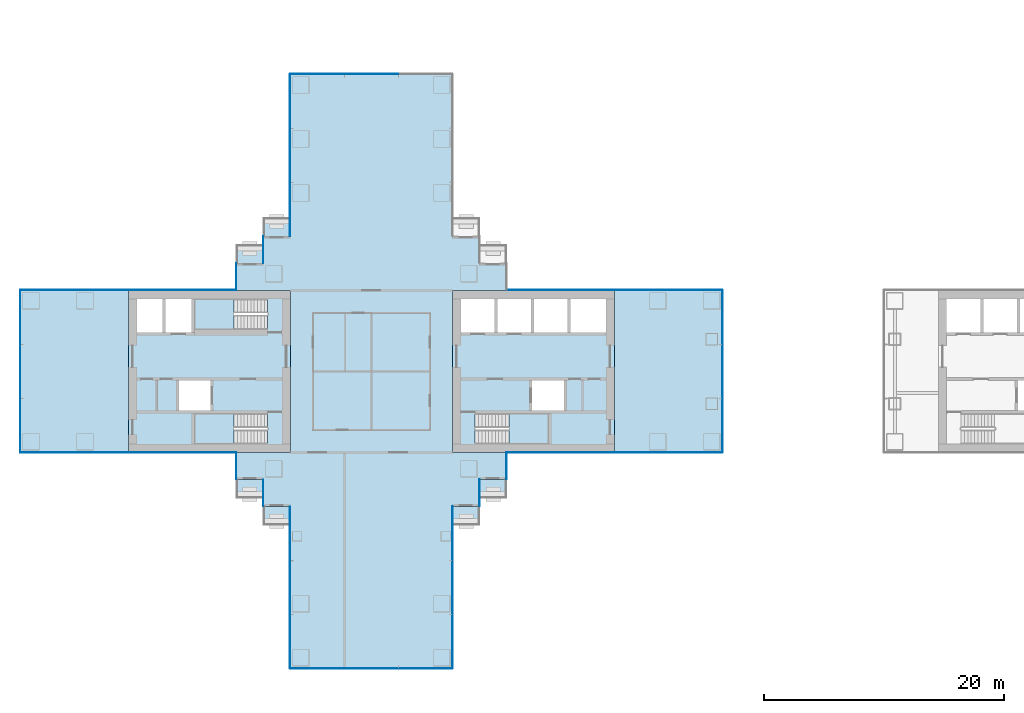
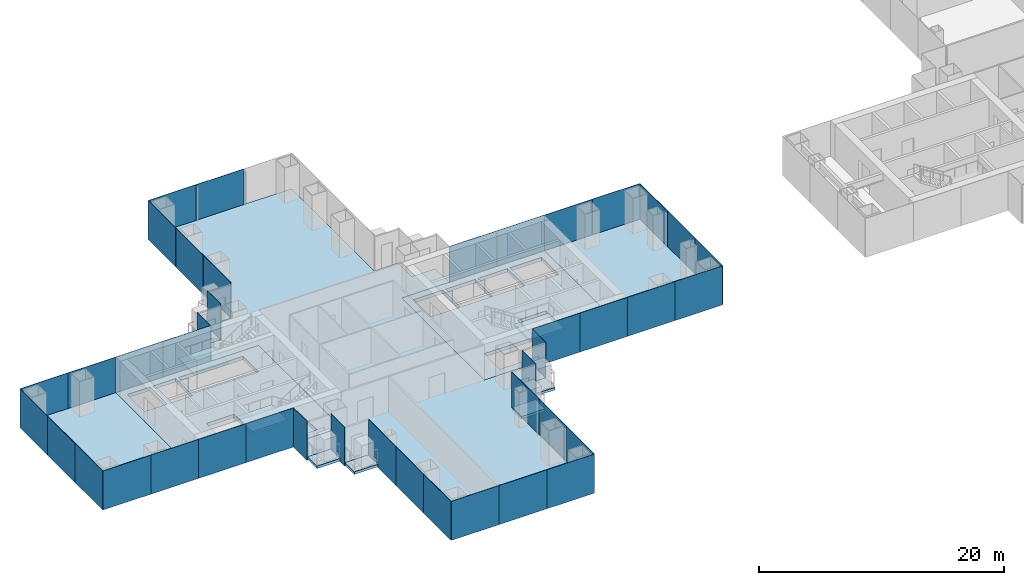
# One storey, part 11 of 21: 42 plates, 14 slabs, 21 elements without a shape of their own.
"""IFC4 building model written with IfcOpenShell, lengths in metres."""

from ifc_helpers import new_model, si_unit, direction, frame, origin, origin_2d, place, context, subcontext, project, spatial, polyline, rectangle, outline, extrude, material, layer, layer_set, type_object, element, aggregate, save


model = new_model("IFC4")

# Units and contexts
model_context = context("Model", 3, precision=1e-05, world=origin(), true_north=direction((0.0, 1.0)))
body_context = subcontext(model_context, "Body", "Model", "MODEL_VIEW")
ifc_project = project(units=[si_unit("LENGTHUNIT", "METRE"), si_unit("AREAUNIT", "SQUARE_METRE"), si_unit("VOLUMEUNIT", "CUBIC_METRE"), si_unit("PLANEANGLEUNIT", "RADIAN"), si_unit("MASSUNIT", "GRAM", prefix="KILO")], contexts=[model_context])

# Site, building, storey
site_placement = place(None, origin())
site = spatial("IfcSite", under=ifc_project, at=site_placement, CompositionType="ELEMENT")
building_placement = place(site_placement, origin())
building = spatial("IfcBuilding", under=site, at=building_placement, Name="Shamsa Quay Exchange Towers", CompositionType="ELEMENT")
storey_placement = place(building_placement, frame((0.0, 0.0, 61.5)))
storey = spatial("IfcBuildingStorey", under=building, at=storey_placement, Name="L13", CompositionType="ELEMENT", Elevation=61.5)

# Slabs
ifc_material_1 = material(Name="Precast concrete C40/50", Category="concrete")
ifc_layer_1 = layer(ifc_material_1, 0.25)
ifc_layer_set_1 = layer_set([ifc_layer_1], Name="BALCONY SLAB 250")
slab_type_1 = type_object("IfcSlabType", Name="BALCONY SLAB 250", PredefinedType="FLOOR", material=ifc_layer_set_1)
slab_1_placement = place(storey_placement, frame((0.0, 0.0, -0.25)))
element("IfcSlab", 1, at=slab_1_placement, inside=storey, type_object=slab_type_1, Name="Balcony T1-PKES L13", PredefinedType="FLOOR", context=body_context, shape_type="SweptSolid", body=[
    extrude(outline(polyline([(-24.7119140625, -9.0), (-22.5, -9.0), (-22.5, -10.550048828125), (-24.7119140625, -10.550048828125), (-24.7119140625, -9.0)])), origin(), (0.0, 0.0, 1.0), 0.25),
])
slab_2_placement = place(storey_placement, frame((0.0, 0.0, -0.25)))
element("IfcSlab", 2, at=slab_2_placement, inside=storey, type_object=slab_type_1, Name="Balcony T1-PKES L13", PredefinedType="FLOOR", context=body_context, shape_type="SweptSolid", body=[
    extrude(outline(polyline([(-26.9619140625, -11.25), (-24.75, -11.25), (-24.75, -12.800048828125), (-26.9619140625, -12.800048828125), (-26.9619140625, -11.25)])), origin(), (0.0, 0.0, 1.0), 0.25),
])
slab_3_placement = place(storey_placement, frame((0.0, 0.0, -0.25)))
element("IfcSlab", 3, at=slab_3_placement, inside=storey, type_object=slab_type_1, Name="Balcony T1-PKWN L13", PredefinedType="FLOOR", context=body_context, shape_type="SweptSolid", body=[
    extrude(outline(polyline([(-40.5380859375, 11.25), (-42.75, 11.25), (-42.75, 12.800048828125), (-40.5380859375, 12.800048828125), (-40.5380859375, 11.25)])), origin(), (0.0, 0.0, 1.0), 0.25),
])
slab_4_placement = place(storey_placement, frame((0.0, 0.0, -0.25)))
element("IfcSlab", 4, at=slab_4_placement, inside=storey, type_object=slab_type_1, Name="Balcony T1-PKWN L13", PredefinedType="FLOOR", context=body_context, shape_type="SweptSolid", body=[
    extrude(outline(polyline([(-42.7880859375, 9.0), (-45.0, 9.0), (-45.0, 10.550048828125), (-42.7880859375, 10.550048828125), (-42.7880859375, 9.0)])), origin(), (0.0, 0.0, 1.0), 0.25),
])
slab_5_placement = place(storey_placement, frame((0.0, 0.0, -0.25)))
element("IfcSlab", 5, at=slab_5_placement, inside=storey, type_object=slab_type_1, Name="Balcony T1-PKWS L13", PredefinedType="FLOOR", context=body_context, shape_type="SweptSolid", body=[
    extrude(outline(polyline([(-45.0, -9.0), (-42.7880859375, -9.0), (-42.7880859375, -10.550048828125), (-45.0, -10.550048828125), (-45.0, -9.0)])), origin(), (0.0, 0.0, 1.0), 0.25),
])
slab_6_placement = place(storey_placement, frame((0.0, 0.0, -0.25)))
element("IfcSlab", 6, at=slab_6_placement, inside=storey, type_object=slab_type_1, Name="Balcony T1-PKWS L13", PredefinedType="FLOOR", context=body_context, shape_type="SweptSolid", body=[
    extrude(outline(polyline([(-42.75, -11.25), (-40.5380859375, -11.25), (-40.5380859375, -12.800048828125), (-42.75, -12.800048828125), (-42.75, -11.25)])), origin(), (0.0, 0.0, 1.0), 0.25),
])
ifc_material_2 = material(Name="Concrete C50/60", Category="concrete")
ifc_layer_2 = layer(ifc_material_2, 0.35009765625)
ifc_layer_set_2 = layer_set([ifc_layer_2], Name="CORE FLOOR 350 C50/60")
slab_type_2 = type_object("IfcSlabType", Name="CORE FLOOR 350 C50/60", PredefinedType="FLOOR", material=ifc_layer_set_2)
slab_7_placement = place(storey_placement, frame((0.0, 0.0, -0.35009765625)))
element("IfcSlab", 7, at=slab_7_placement, inside=storey, type_object=slab_type_2, Name="Core floor T1A", PredefinedType="FLOOR", context=body_context, shape_type="SweptSolid", body=[
    extrude(outline(polyline([(-27.0, -6.75), (-13.5, -6.75), (-13.5, 6.75), (-27.0, 6.75), (-27.0, -6.75)]), holes=[polyline([(-25.099365234375, -6.050048828125), (-25.099365234375, -3.5), (-19.0, -3.5), (-19.0, -6.050048828125), (-25.099365234375, -6.050048828125)]), polyline([(-26.300048828125, 3.25), (-26.300048828125, 6.050048828125), (-23.5, 6.050048828125), (-23.5, 3.25), (-26.300048828125, 3.25)]), polyline([(-23.25, 3.25), (-23.25, 6.050048828125), (-20.449951171875, 6.050048828125), (-20.449951171875, 3.25), (-23.25, 3.25)]), polyline([(-20.199951171875, 3.25), (-20.199951171875, 6.050048828125), (-17.39990234375, 6.050048828125), (-17.39990234375, 3.25), (-20.199951171875, 3.25)]), polyline([(-17.14990234375, 3.25), (-17.14990234375, 6.050048828125), (-14.199951171875, 6.050048828125), (-14.199951171875, 3.25), (-17.14990234375, 3.25)]), polyline([(-20.35009765625, -3.25), (-20.35009765625, -0.75), (-17.699951171875, -0.75), (-17.699951171875, -3.25), (-20.35009765625, -3.25)])]), origin(), (0.0, 0.0, 1.0), 0.35009765625),
])
slab_8_placement = place(storey_placement, frame((0.0, 0.0, -0.35009765625)))
element("IfcSlab", 8, at=slab_8_placement, inside=storey, type_object=slab_type_2, Name="Core floor T1B", PredefinedType="FLOOR", context=body_context, shape_type="SweptSolid", body=[
    extrude(outline(polyline([(-40.5, -6.75), (-40.5, 6.75), (-54.0, 6.75), (-54.0, -6.75), (-40.5, -6.75)]), holes=[polyline([(-42.400634765625, -3.5), (-42.400634765625, -6.050048828125), (-48.5, -6.050048828125), (-48.5, -3.5), (-42.400634765625, -3.5)]), polyline([(-42.400634765625, 6.050048828125), (-42.400634765625, 3.5), (-48.5, 3.5), (-48.5, 6.050048828125), (-42.400634765625, 6.050048828125)]), polyline([(-48.75, 3.25), (-50.89990234375, 3.25), (-50.89990234375, 6.050048828125), (-48.75, 6.050048828125), (-48.75, 3.25)]), polyline([(-51.14990234375, 3.25), (-53.300048828125, 3.25), (-53.300048828125, 6.050048828125), (-51.14990234375, 6.050048828125), (-51.14990234375, 3.25)]), polyline([(-47.14990234375, -3.25), (-49.800048828125, -3.25), (-49.800048828125, -0.75), (-47.14990234375, -0.75), (-47.14990234375, -3.25)])]), origin(), (0.0, 0.0, 1.0), 0.35009765625),
])

# Stair, slab
ifc_material_3 = material(Name="Concrete C40/50", Category="concrete")
stair_type = type_object("IfcStairType", Name="EXIT STAIR 22 RISERS 177 MM", PredefinedType="HALF_TURN_STAIR", material=ifc_material_3)
stair_1_placement = place(storey_placement, origin())
stair_1 = element("IfcStair", 9, at=stair_1_placement, inside=storey, type_object=stair_type, Name="L13 Exit stair ST1", PredefinedType="HALF_TURN_STAIR")
ifc_layer_3 = layer(ifc_material_3, 0.199951171875)
ifc_layer_set_3 = layer_set([ifc_layer_3], Name="CORE STAIR LANDING")
slab_type_3 = type_object("IfcSlabType", Name="CORE STAIR LANDING", PredefinedType="LANDING", material=ifc_layer_set_3)
slab_9_placement = place(storey_placement, frame((0.0, 0.0, 1.75)))
slab_9 = element("IfcSlab", 10, at=slab_9_placement, type_object=slab_type_3, Name="ST1 landing 1", PredefinedType="LANDING", context=body_context, shape_type="SweptSolid", body=[
    extrude(outline(polyline([(-22.300048828125, -6.050048828125), (-19.0, -6.050048828125), (-19.0, -3.5), (-22.300048828125, -3.5), (-22.300048828125, -6.050048828125)])), origin(), (0.0, 0.0, 1.0), 0.199951171875),
])
aggregate(stair_1, [slab_9])

stair_2_placement = place(storey_placement, origin())
stair_2 = element("IfcStair", 11, at=stair_2_placement, inside=storey, type_object=stair_type, Name="L13 Exit stair ST2", PredefinedType="HALF_TURN_STAIR")
slab_10_placement = place(storey_placement, frame((0.0, 0.0, 1.75)))
slab_10 = element("IfcSlab", 12, at=slab_10_placement, type_object=slab_type_3, Name="ST2 landing 1", PredefinedType="LANDING", context=body_context, shape_type="SweptSolid", body=[
    extrude(outline(polyline([(-45.199951171875, -3.5), (-48.5, -3.5), (-48.5, -6.050048828125), (-45.199951171875, -6.050048828125), (-45.199951171875, -3.5)])), origin(), (0.0, 0.0, 1.0), 0.199951171875),
])
aggregate(stair_2, [slab_10])

stair_3_placement = place(storey_placement, origin())
stair_3 = element("IfcStair", 13, at=stair_3_placement, inside=storey, type_object=stair_type, Name="L13 Exit stair ST3", PredefinedType="HALF_TURN_STAIR")
slab_11_placement = place(storey_placement, frame((0.0, 0.0, 1.75)))
slab_11 = element("IfcSlab", 14, at=slab_11_placement, type_object=slab_type_3, Name="ST3 landing 1", PredefinedType="LANDING", context=body_context, shape_type="SweptSolid", body=[
    extrude(outline(polyline([(-45.199951171875, 6.050048828125), (-48.5, 6.050048828125), (-48.5, 3.5), (-45.199951171875, 3.5), (-45.199951171875, 6.050048828125)])), origin(), (0.0, 0.0, 1.0), 0.199951171875),
])
aggregate(stair_3, [slab_11])

# Curtain wall, plates
ifc_material_4 = material(Name="Aluminium EN AW-6063 T6, black anodised", Category="aluminium")
ifc_layer_4 = layer(ifc_material_4, 0.280029296875)
ifc_layer_set_4 = layer_set([ifc_layer_4], Name="CW-1 UNITISED VISION GLASS")
curtain_wall_type_1 = type_object("IfcCurtainWallType", Name="CW-1 UNITISED VISION GLASS", PredefinedType="NOTDEFINED", material=ifc_layer_set_4)
curtain_wall_1_placement = place(storey_placement, origin())
curtain_wall_1 = element("IfcCurtainWall", 15, at=curtain_wall_1_placement, inside=storey, type_object=curtain_wall_type_1, Name="CW1 T1-FLK-V-W L13", PredefinedType="NOTDEFINED")
ifc_material_5 = material(Name="Glass, laminated, dark tinted", Category="glass")
ifc_layer_5 = layer(ifc_material_5, 0.0400390625)
ifc_layer_set_5 = layer_set([ifc_layer_5], Name="CW-1 VISION GLASS 40")
plate_type_1 = type_object("IfcPlateType", Name="CW-1 VISION GLASS 40", PredefinedType="CURTAIN_PANEL", material=ifc_layer_set_5)
plate_1_placement = place(storey_placement, frame((-40.52001953125, -13.529052734375, -0.349853515625), z_axis=(0.0, 0.0, 1.0), x_axis=(0.0, -1.0, 0.0)))
plate_1 = element("IfcPlate", 16, at=plate_1_placement, type_object=plate_type_1, Name="CW1 glass panel", PredefinedType="CURTAIN_PANEL", context=body_context, shape_type="SweptSolid", body=[
    extrude(rectangle(XDim=4.482421875, YDim=0.0400390625, at=origin_2d()), origin(), (0.0, 0.0, 1.0), 3.89990234375),
])
plate_2_placement = place(storey_placement, frame((-40.52001953125, -18.01904296875, -0.349853515625), z_axis=(0.0, 0.0, 1.0), x_axis=(0.0, -1.0, 0.0)))
plate_2 = element("IfcPlate", 17, at=plate_2_placement, type_object=plate_type_1, Name="CW1 glass panel", PredefinedType="CURTAIN_PANEL", context=body_context, shape_type="SweptSolid", body=[
    extrude(rectangle(XDim=4.477294921875, YDim=0.0400390625, at=origin_2d()), origin(), (0.0, 0.0, 1.0), 3.89990234375),
])
plate_3_placement = place(storey_placement, frame((-40.52001953125, -22.5087890625, -0.349853515625), z_axis=(0.0, 0.0, 1.0), x_axis=(0.0, -1.0, 0.0)))
plate_3 = element("IfcPlate", 18, at=plate_3_placement, type_object=plate_type_1, Name="CW1 glass panel", PredefinedType="CURTAIN_PANEL", context=body_context, shape_type="SweptSolid", body=[
    extrude(rectangle(XDim=4.482421875, YDim=0.0400390625, at=origin_2d()), origin(), (0.0, 0.0, 1.0), 3.89990234375),
])
aggregate(curtain_wall_1, [plate_1, plate_2, plate_3])

curtain_wall_2_placement = place(storey_placement, origin())
curtain_wall_2 = element("IfcCurtainWall", 19, at=curtain_wall_2_placement, inside=storey, type_object=curtain_wall_type_1, Name="CW1 T1-END-V- L13", PredefinedType="NOTDEFINED")
plate_4_placement = place(storey_placement, frame((-38.25244140625, -24.77001953125, -0.349853515625)))
plate_4 = element("IfcPlate", 20, at=plate_4_placement, type_object=plate_type_1, Name="CW1 glass panel", PredefinedType="CURTAIN_PANEL", context=body_context, shape_type="SweptSolid", body=[
    extrude(rectangle(XDim=4.4951171875, YDim=0.0400390625, at=origin_2d()), origin(), (0.0, 0.0, 1.0), 3.89990234375),
])
plate_5_placement = place(storey_placement, frame((-33.75, -24.77001953125, -0.349853515625)))
plate_5 = element("IfcPlate", 21, at=plate_5_placement, type_object=plate_type_1, Name="CW1 glass panel", PredefinedType="CURTAIN_PANEL", context=body_context, shape_type="SweptSolid", body=[
    extrude(rectangle(XDim=4.489990234375, YDim=0.0400390625, at=origin_2d()), origin(), (0.0, 0.0, 1.0), 3.89990234375),
])
plate_6_placement = place(storey_placement, frame((-29.24755859375, -24.77001953125, -0.349853515625)))
plate_6 = element("IfcPlate", 22, at=plate_6_placement, type_object=plate_type_1, Name="CW1 glass panel", PredefinedType="CURTAIN_PANEL", context=body_context, shape_type="SweptSolid", body=[
    extrude(rectangle(XDim=4.4951171875, YDim=0.0400390625, at=origin_2d()), origin(), (0.0, 0.0, 1.0), 3.89990234375),
])
aggregate(curtain_wall_2, [plate_4, plate_5, plate_6])

curtain_wall_3_placement = place(storey_placement, origin())
curtain_wall_3 = element("IfcCurtainWall", 23, at=curtain_wall_3_placement, inside=storey, type_object=curtain_wall_type_1, Name="CW1 T1-FLK-V-E L13", PredefinedType="NOTDEFINED")
plate_7_placement = place(storey_placement, frame((-26.97998046875, -22.50244140625, -0.349853515625), z_axis=(0.0, 0.0, 1.0), x_axis=(0.0, 1.0, 0.0)))
plate_7 = element("IfcPlate", 24, at=plate_7_placement, type_object=plate_type_1, Name="CW1 glass panel", PredefinedType="CURTAIN_PANEL", context=body_context, shape_type="SweptSolid", body=[
    extrude(rectangle(XDim=4.4951171875, YDim=0.0400390625, at=origin_2d()), origin(), (0.0, 0.0, 1.0), 3.89990234375),
])
plate_8_placement = place(storey_placement, frame((-26.97998046875, -18.0, -0.349853515625), z_axis=(0.0, 0.0, 1.0), x_axis=(0.0, 1.0, 0.0)))
plate_8 = element("IfcPlate", 25, at=plate_8_placement, type_object=plate_type_1, Name="CW1 glass panel", PredefinedType="CURTAIN_PANEL", context=body_context, shape_type="SweptSolid", body=[
    extrude(rectangle(XDim=4.489990234375, YDim=0.0400390625, at=origin_2d()), origin(), (0.0, 0.0, 1.0), 3.89990234375),
])
plate_9_placement = place(storey_placement, frame((-26.97998046875, -13.49755859375, -0.349853515625), z_axis=(0.0, 0.0, 1.0), x_axis=(0.0, 1.0, 0.0)))
plate_9 = element("IfcPlate", 26, at=plate_9_placement, type_object=plate_type_1, Name="CW1 glass panel", PredefinedType="CURTAIN_PANEL", context=body_context, shape_type="SweptSolid", body=[
    extrude(rectangle(XDim=4.4951171875, YDim=0.0400390625, at=origin_2d()), origin(), (0.0, 0.0, 1.0), 3.89990234375),
])
aggregate(curtain_wall_3, [plate_7, plate_8, plate_9])

curtain_wall_4_placement = place(storey_placement, origin())
curtain_wall_4 = element("IfcCurtainWall", 27, at=curtain_wall_4_placement, inside=storey, type_object=curtain_wall_type_1, Name="CW1 T1-FLK-U+S L13", PredefinedType="NOTDEFINED")
plate_10_placement = place(storey_placement, frame((-11.25244140625, -6.77001953125, -0.349853515625)))
plate_10 = element("IfcPlate", 28, at=plate_10_placement, type_object=plate_type_1, Name="CW1 glass panel", PredefinedType="CURTAIN_PANEL", context=body_context, shape_type="SweptSolid", body=[
    extrude(rectangle(XDim=4.4951171875, YDim=0.0400390625, at=origin_2d()), origin(), (0.0, 0.0, 1.0), 3.89990234375),
])
plate_11_placement = place(storey_placement, frame((-6.74755859375, -6.77001953125, -0.349853515625)))
plate_11 = element("IfcPlate", 29, at=plate_11_placement, type_object=plate_type_1, Name="CW1 glass panel", PredefinedType="CURTAIN_PANEL", context=body_context, shape_type="SweptSolid", body=[
    extrude(rectangle(XDim=4.4951171875, YDim=0.0400390625, at=origin_2d()), origin(), (0.0, 0.0, 1.0), 3.89990234375),
])
aggregate(curtain_wall_4, [plate_10, plate_11])

curtain_wall_5_placement = place(storey_placement, origin())
curtain_wall_5 = element("IfcCurtainWall", 30, at=curtain_wall_5_placement, inside=storey, type_object=curtain_wall_type_1, Name="CW1 T1-END-U+ L13", PredefinedType="NOTDEFINED")
plate_12_placement = place(storey_placement, frame((-4.47998046875, -4.50244140625, -0.349853515625), z_axis=(0.0, 0.0, 1.0), x_axis=(0.0, 1.0, 0.0)))
plate_12 = element("IfcPlate", 31, at=plate_12_placement, type_object=plate_type_1, Name="CW1 glass panel", PredefinedType="CURTAIN_PANEL", context=body_context, shape_type="SweptSolid", body=[
    extrude(rectangle(XDim=4.4951171875, YDim=0.0400390625, at=origin_2d()), origin(), (0.0, 0.0, 1.0), 3.89990234375),
])
plate_13_placement = place(storey_placement, frame((-4.47998046875, 0.0, -0.349853515625), z_axis=(0.0, 0.0, 1.0), x_axis=(0.0, 1.0, 0.0)))
plate_13 = element("IfcPlate", 32, at=plate_13_placement, type_object=plate_type_1, Name="CW1 glass panel", PredefinedType="CURTAIN_PANEL", context=body_context, shape_type="SweptSolid", body=[
    extrude(rectangle(XDim=4.489990234375, YDim=0.0400390625, at=origin_2d()), origin(), (0.0, 0.0, 1.0), 3.89990234375),
])
plate_14_placement = place(storey_placement, frame((-4.47998046875, 4.50244140625, -0.349853515625), z_axis=(0.0, 0.0, 1.0), x_axis=(0.0, 1.0, 0.0)))
plate_14 = element("IfcPlate", 33, at=plate_14_placement, type_object=plate_type_1, Name="CW1 glass panel", PredefinedType="CURTAIN_PANEL", context=body_context, shape_type="SweptSolid", body=[
    extrude(rectangle(XDim=4.4951171875, YDim=0.0400390625, at=origin_2d()), origin(), (0.0, 0.0, 1.0), 3.89990234375),
])
aggregate(curtain_wall_5, [plate_12, plate_13, plate_14])

curtain_wall_6_placement = place(storey_placement, origin())
curtain_wall_6 = element("IfcCurtainWall", 34, at=curtain_wall_6_placement, inside=storey, type_object=curtain_wall_type_1, Name="CW1 T1-FLK-U+N L13", PredefinedType="NOTDEFINED")
plate_15_placement = place(storey_placement, frame((-6.74755859375, 6.77001953125, -0.349853515625), z_axis=(0.0, 0.0, 1.0), x_axis=(-1.0, 0.0, 0.0)))
plate_15 = element("IfcPlate", 35, at=plate_15_placement, type_object=plate_type_1, Name="CW1 glass panel", PredefinedType="CURTAIN_PANEL", context=body_context, shape_type="SweptSolid", body=[
    extrude(rectangle(XDim=4.4951171875, YDim=0.0400390625, at=origin_2d()), origin(), (0.0, 0.0, 1.0), 3.89990234375),
])
plate_16_placement = place(storey_placement, frame((-11.25244140625, 6.77001953125, -0.349853515625), z_axis=(0.0, 0.0, 1.0), x_axis=(-1.0, 0.0, 0.0)))
plate_16 = element("IfcPlate", 36, at=plate_16_placement, type_object=plate_type_1, Name="CW1 glass panel", PredefinedType="CURTAIN_PANEL", context=body_context, shape_type="SweptSolid", body=[
    extrude(rectangle(XDim=4.4951171875, YDim=0.0400390625, at=origin_2d()), origin(), (0.0, 0.0, 1.0), 3.89990234375),
])
aggregate(curtain_wall_6, [plate_15, plate_16])

curtain_wall_7_placement = place(storey_placement, origin())
curtain_wall_7 = element("IfcCurtainWall", 37, at=curtain_wall_7_placement, inside=storey, type_object=curtain_wall_type_1, Name="CW1 T1-END-V+ L13", PredefinedType="NOTDEFINED")
plate_17_placement = place(storey_placement, frame((-33.75, 24.77001953125, -0.349853515625), z_axis=(0.0, 0.0, 1.0), x_axis=(-1.0, 0.0, 0.0)))
plate_17 = element("IfcPlate", 38, at=plate_17_placement, type_object=plate_type_1, Name="CW1 glass panel", PredefinedType="CURTAIN_PANEL", context=body_context, shape_type="SweptSolid", body=[
    extrude(rectangle(XDim=4.489990234375, YDim=0.0400390625, at=origin_2d()), origin(), (0.0, 0.0, 1.0), 3.89990234375),
])
plate_18_placement = place(storey_placement, frame((-38.25244140625, 24.77001953125, -0.349853515625), z_axis=(0.0, 0.0, 1.0), x_axis=(-1.0, 0.0, 0.0)))
plate_18 = element("IfcPlate", 39, at=plate_18_placement, type_object=plate_type_1, Name="CW1 glass panel", PredefinedType="CURTAIN_PANEL", context=body_context, shape_type="SweptSolid", body=[
    extrude(rectangle(XDim=4.4951171875, YDim=0.0400390625, at=origin_2d()), origin(), (0.0, 0.0, 1.0), 3.89990234375),
])
aggregate(curtain_wall_7, [plate_17, plate_18])

curtain_wall_8_placement = place(storey_placement, origin())
curtain_wall_8 = element("IfcCurtainWall", 40, at=curtain_wall_8_placement, inside=storey, type_object=curtain_wall_type_1, Name="CW1 T1-FLK-V+W L13", PredefinedType="NOTDEFINED")
plate_19_placement = place(storey_placement, frame((-40.52001953125, 22.50244140625, -0.349853515625), z_axis=(0.0, 0.0, 1.0), x_axis=(0.0, -1.0, 0.0)))
plate_19 = element("IfcPlate", 41, at=plate_19_placement, type_object=plate_type_1, Name="CW1 glass panel", PredefinedType="CURTAIN_PANEL", context=body_context, shape_type="SweptSolid", body=[
    extrude(rectangle(XDim=4.4951171875, YDim=0.0400390625, at=origin_2d()), origin(), (0.0, 0.0, 1.0), 3.89990234375),
])
plate_20_placement = place(storey_placement, frame((-40.52001953125, 18.0, -0.349853515625), z_axis=(0.0, 0.0, 1.0), x_axis=(0.0, -1.0, 0.0)))
plate_20 = element("IfcPlate", 42, at=plate_20_placement, type_object=plate_type_1, Name="CW1 glass panel", PredefinedType="CURTAIN_PANEL", context=body_context, shape_type="SweptSolid", body=[
    extrude(rectangle(XDim=4.489990234375, YDim=0.0400390625, at=origin_2d()), origin(), (0.0, 0.0, 1.0), 3.89990234375),
])
plate_21_placement = place(storey_placement, frame((-40.52001953125, 13.49755859375, -0.349853515625), z_axis=(0.0, 0.0, 1.0), x_axis=(0.0, -1.0, 0.0)))
plate_21 = element("IfcPlate", 43, at=plate_21_placement, type_object=plate_type_1, Name="CW1 glass panel", PredefinedType="CURTAIN_PANEL", context=body_context, shape_type="SweptSolid", body=[
    extrude(rectangle(XDim=4.4951171875, YDim=0.0400390625, at=origin_2d()), origin(), (0.0, 0.0, 1.0), 3.89990234375),
])
aggregate(curtain_wall_8, [plate_19, plate_20, plate_21])

curtain_wall_9_placement = place(storey_placement, origin())
curtain_wall_9 = element("IfcCurtainWall", 44, at=curtain_wall_9_placement, inside=storey, type_object=curtain_wall_type_1, Name="CW1 T1-FLK-U-N L13", PredefinedType="NOTDEFINED")
plate_22_placement = place(storey_placement, frame((-56.24755859375, 6.77001953125, -0.349853515625), z_axis=(0.0, 0.0, 1.0), x_axis=(-1.0, 0.0, 0.0)))
plate_22 = element("IfcPlate", 45, at=plate_22_placement, type_object=plate_type_1, Name="CW1 glass panel", PredefinedType="CURTAIN_PANEL", context=body_context, shape_type="SweptSolid", body=[
    extrude(rectangle(XDim=4.4951171875, YDim=0.0400390625, at=origin_2d()), origin(), (0.0, 0.0, 1.0), 3.89990234375),
])
plate_23_placement = place(storey_placement, frame((-60.75244140625, 6.77001953125, -0.349853515625), z_axis=(0.0, 0.0, 1.0), x_axis=(-1.0, 0.0, 0.0)))
plate_23 = element("IfcPlate", 46, at=plate_23_placement, type_object=plate_type_1, Name="CW1 glass panel", PredefinedType="CURTAIN_PANEL", context=body_context, shape_type="SweptSolid", body=[
    extrude(rectangle(XDim=4.4951171875, YDim=0.0400390625, at=origin_2d()), origin(), (0.0, 0.0, 1.0), 3.89990234375),
])
aggregate(curtain_wall_9, [plate_22, plate_23])

curtain_wall_10_placement = place(storey_placement, origin())
curtain_wall_10 = element("IfcCurtainWall", 47, at=curtain_wall_10_placement, inside=storey, type_object=curtain_wall_type_1, Name="CW1 T1-END-U- L13", PredefinedType="NOTDEFINED")
plate_24_placement = place(storey_placement, frame((-63.02001953125, 4.50244140625, -0.349853515625), z_axis=(0.0, 0.0, 1.0), x_axis=(0.0, -1.0, 0.0)))
plate_24 = element("IfcPlate", 48, at=plate_24_placement, type_object=plate_type_1, Name="CW1 glass panel", PredefinedType="CURTAIN_PANEL", context=body_context, shape_type="SweptSolid", body=[
    extrude(rectangle(XDim=4.4951171875, YDim=0.0400390625, at=origin_2d()), origin(), (0.0, 0.0, 1.0), 3.89990234375),
])
plate_25_placement = place(storey_placement, frame((-63.02001953125, 0.0, -0.349853515625), z_axis=(0.0, 0.0, 1.0), x_axis=(0.0, -1.0, 0.0)))
plate_25 = element("IfcPlate", 49, at=plate_25_placement, type_object=plate_type_1, Name="CW1 glass panel", PredefinedType="CURTAIN_PANEL", context=body_context, shape_type="SweptSolid", body=[
    extrude(rectangle(XDim=4.489990234375, YDim=0.0400390625, at=origin_2d()), origin(), (0.0, 0.0, 1.0), 3.89990234375),
])
plate_26_placement = place(storey_placement, frame((-63.02001953125, -4.50244140625, -0.349853515625), z_axis=(0.0, 0.0, 1.0), x_axis=(0.0, -1.0, 0.0)))
plate_26 = element("IfcPlate", 50, at=plate_26_placement, type_object=plate_type_1, Name="CW1 glass panel", PredefinedType="CURTAIN_PANEL", context=body_context, shape_type="SweptSolid", body=[
    extrude(rectangle(XDim=4.4951171875, YDim=0.0400390625, at=origin_2d()), origin(), (0.0, 0.0, 1.0), 3.89990234375),
])
aggregate(curtain_wall_10, [plate_24, plate_25, plate_26])

curtain_wall_11_placement = place(storey_placement, origin())
curtain_wall_11 = element("IfcCurtainWall", 51, at=curtain_wall_11_placement, inside=storey, type_object=curtain_wall_type_1, Name="CW1 T1-FLK-U-S L13", PredefinedType="NOTDEFINED")
plate_27_placement = place(storey_placement, frame((-60.75244140625, -6.77001953125, -0.349853515625)))
plate_27 = element("IfcPlate", 52, at=plate_27_placement, type_object=plate_type_1, Name="CW1 glass panel", PredefinedType="CURTAIN_PANEL", context=body_context, shape_type="SweptSolid", body=[
    extrude(rectangle(XDim=4.4951171875, YDim=0.0400390625, at=origin_2d()), origin(), (0.0, 0.0, 1.0), 3.89990234375),
])
plate_28_placement = place(storey_placement, frame((-56.24755859375, -6.77001953125, -0.349853515625)))
plate_28 = element("IfcPlate", 53, at=plate_28_placement, type_object=plate_type_1, Name="CW1 glass panel", PredefinedType="CURTAIN_PANEL", context=body_context, shape_type="SweptSolid", body=[
    extrude(rectangle(XDim=4.4951171875, YDim=0.0400390625, at=origin_2d()), origin(), (0.0, 0.0, 1.0), 3.89990234375),
])
aggregate(curtain_wall_11, [plate_27, plate_28])

ifc_layer_6 = layer(ifc_material_4, 0.303955078125)
ifc_layer_set_6 = layer_set([ifc_layer_6], Name="CW-2 UNITISED OPAQUE SPANDREL GLASS")
curtain_wall_type_2 = type_object("IfcCurtainWallType", Name="CW-2 UNITISED OPAQUE SPANDREL GLASS", PredefinedType="NOTDEFINED", material=ifc_layer_set_6)
curtain_wall_12_placement = place(storey_placement, origin())
curtain_wall_12 = element("IfcCurtainWall", 54, at=curtain_wall_12_placement, inside=storey, type_object=curtain_wall_type_2, Name="CW2 T1-FLK-U+S L13", PredefinedType="NOTDEFINED")
ifc_material_6 = material(Name="Glass, laminated, black enamelled opaque", Category="glass")
ifc_layer_7 = layer(ifc_material_6, 0.0439453125)
ifc_layer_set_7 = layer_set([ifc_layer_7], Name="CW-2 SPANDREL GLASS 44")
plate_type_2 = type_object("IfcPlateType", Name="CW-2 SPANDREL GLASS 44", PredefinedType="CURTAIN_PANEL", material=ifc_layer_set_7)
plate_29_placement = place(storey_placement, frame((-20.22412109375, -6.77197265625, -0.349853515625)))
plate_29 = element("IfcPlate", 55, at=plate_29_placement, type_object=plate_type_2, Name="CW2 glass panel", PredefinedType="CURTAIN_PANEL", context=body_context, shape_type="SweptSolid", body=[
    extrude(rectangle(XDim=4.47607421875, YDim=0.0439453125, at=origin_2d()), origin(), (0.0, 0.0, 1.0), 3.89990234375),
])
plate_30_placement = place(storey_placement, frame((-15.738037109375, -6.77197265625, -0.349853515625)))
plate_30 = element("IfcPlate", 56, at=plate_30_placement, type_object=plate_type_2, Name="CW2 glass panel", PredefinedType="CURTAIN_PANEL", context=body_context, shape_type="SweptSolid", body=[
    extrude(rectangle(XDim=4.47607421875, YDim=0.0439453125, at=origin_2d()), origin(), (0.0, 0.0, 1.0), 3.89990234375),
])
aggregate(curtain_wall_12, [plate_29, plate_30])

curtain_wall_13_placement = place(storey_placement, origin())
curtain_wall_13 = element("IfcCurtainWall", 57, at=curtain_wall_13_placement, inside=storey, type_object=curtain_wall_type_2, Name="CW2 T1-FLK-U+N L13", PredefinedType="NOTDEFINED")
plate_31_placement = place(storey_placement, frame((-15.74755859375, 6.77197265625, -0.349853515625), z_axis=(0.0, 0.0, 1.0), x_axis=(-1.0, 0.0, 0.0)))
plate_31 = element("IfcPlate", 58, at=plate_31_placement, type_object=plate_type_2, Name="CW2 glass panel", PredefinedType="CURTAIN_PANEL", context=body_context, shape_type="SweptSolid", body=[
    extrude(rectangle(XDim=4.4951171875, YDim=0.0439453125, at=origin_2d()), origin(), (0.0, 0.0, 1.0), 3.89990234375),
])
plate_32_placement = place(storey_placement, frame((-20.25244140625, 6.77197265625, -0.349853515625), z_axis=(0.0, 0.0, 1.0), x_axis=(-1.0, 0.0, 0.0)))
plate_32 = element("IfcPlate", 59, at=plate_32_placement, type_object=plate_type_2, Name="CW2 glass panel", PredefinedType="CURTAIN_PANEL", context=body_context, shape_type="SweptSolid", body=[
    extrude(rectangle(XDim=4.4951171875, YDim=0.0439453125, at=origin_2d()), origin(), (0.0, 0.0, 1.0), 3.89990234375),
])
aggregate(curtain_wall_13, [plate_31, plate_32])

curtain_wall_14_placement = place(storey_placement, origin())
curtain_wall_14 = element("IfcCurtainWall", 60, at=curtain_wall_14_placement, inside=storey, type_object=curtain_wall_type_2, Name="CW2 T1-FLK-U-N L13", PredefinedType="NOTDEFINED")
plate_33_placement = place(storey_placement, frame((-47.27587890625, 6.77197265625, -0.349853515625), z_axis=(0.0, 0.0, 1.0), x_axis=(-1.0, 0.0, 0.0)))
plate_33 = element("IfcPlate", 61, at=plate_33_placement, type_object=plate_type_2, Name="CW2 glass panel", PredefinedType="CURTAIN_PANEL", context=body_context, shape_type="SweptSolid", body=[
    extrude(rectangle(XDim=4.47607421875, YDim=0.0439453125, at=origin_2d()), origin(), (0.0, 0.0, 1.0), 3.89990234375),
])
plate_34_placement = place(storey_placement, frame((-51.761962890625, 6.77197265625, -0.349853515625), z_axis=(0.0, 0.0, 1.0), x_axis=(-1.0, 0.0, 0.0)))
plate_34 = element("IfcPlate", 62, at=plate_34_placement, type_object=plate_type_2, Name="CW2 glass panel", PredefinedType="CURTAIN_PANEL", context=body_context, shape_type="SweptSolid", body=[
    extrude(rectangle(XDim=4.47607421875, YDim=0.0439453125, at=origin_2d()), origin(), (0.0, 0.0, 1.0), 3.89990234375),
])
aggregate(curtain_wall_14, [plate_33, plate_34])

curtain_wall_15_placement = place(storey_placement, origin())
curtain_wall_15 = element("IfcCurtainWall", 63, at=curtain_wall_15_placement, inside=storey, type_object=curtain_wall_type_2, Name="CW2 T1-FLK-U-S L13", PredefinedType="NOTDEFINED")
plate_35_placement = place(storey_placement, frame((-51.75244140625, -6.77197265625, -0.349853515625)))
plate_35 = element("IfcPlate", 64, at=plate_35_placement, type_object=plate_type_2, Name="CW2 glass panel", PredefinedType="CURTAIN_PANEL", context=body_context, shape_type="SweptSolid", body=[
    extrude(rectangle(XDim=4.4951171875, YDim=0.0439453125, at=origin_2d()), origin(), (0.0, 0.0, 1.0), 3.89990234375),
])
plate_36_placement = place(storey_placement, frame((-47.24755859375, -6.77197265625, -0.349853515625)))
plate_36 = element("IfcPlate", 65, at=plate_36_placement, type_object=plate_type_2, Name="CW2 glass panel", PredefinedType="CURTAIN_PANEL", context=body_context, shape_type="SweptSolid", body=[
    extrude(rectangle(XDim=4.4951171875, YDim=0.0439453125, at=origin_2d()), origin(), (0.0, 0.0, 1.0), 3.89990234375),
])
aggregate(curtain_wall_15, [plate_35, plate_36])

ifc_layer_8 = layer(ifc_material_4, 0.256103515625)
ifc_layer_set_8 = layer_set([ifc_layer_8], Name="CW-4 POCKET SERRATED GLAZING")
curtain_wall_type_3 = type_object("IfcCurtainWallType", Name="CW-4 POCKET SERRATED GLAZING", PredefinedType="NOTDEFINED", material=ifc_layer_set_8)
curtain_wall_16_placement = place(storey_placement, origin())
curtain_wall_16 = element("IfcCurtainWall", 66, at=curtain_wall_16_placement, inside=storey, type_object=curtain_wall_type_3, Name="CW4 PKWS L13", PredefinedType="NOTDEFINED")
ifc_layer_9 = layer(ifc_material_5, 0.035888671875)
ifc_layer_set_9 = layer_set([ifc_layer_9], Name="CW-4 POCKET GLASS 36")
plate_type_3 = type_object("IfcPlateType", Name="CW-4 POCKET GLASS 36", PredefinedType="CURTAIN_PANEL", material=ifc_layer_set_9)
plate_37_placement = place(storey_placement, frame((-42.76806640625, -10.14404296875, -0.349853515625), z_axis=(0.0, 0.0, 1.0), x_axis=(0.0, -1.0, 0.0)))
plate_37 = element("IfcPlate", 67, at=plate_37_placement, type_object=plate_type_3, Name="CW4 glass panel", PredefinedType="CURTAIN_PANEL", context=body_context, shape_type="SweptSolid", body=[
    extrude(rectangle(XDim=2.2119140625, YDim=0.035888671875, at=origin_2d()), origin(), (0.0, 0.0, 1.0), 3.89990234375),
])
plate_38_placement = place(storey_placement, frame((-45.01806640625, -7.89794921875, -0.349853515625), z_axis=(0.0, 0.0, 1.0), x_axis=(0.0, -1.0, 0.0)))
plate_38 = element("IfcPlate", 68, at=plate_38_placement, type_object=plate_type_3, Name="CW4 glass panel", PredefinedType="CURTAIN_PANEL", context=body_context, shape_type="SweptSolid", body=[
    extrude(rectangle(XDim=2.2041015625, YDim=0.035888671875, at=origin_2d()), origin(), (0.0, 0.0, 1.0), 3.89990234375),
])
aggregate(curtain_wall_16, [plate_37, plate_38])

curtain_wall_17_placement = place(storey_placement, origin())
curtain_wall_17 = element("IfcCurtainWall", 69, at=curtain_wall_17_placement, inside=storey, type_object=curtain_wall_type_3, Name="CW4 PKES L13", PredefinedType="NOTDEFINED")
plate_39_placement = place(storey_placement, frame((-24.73193359375, -10.125, -0.349853515625), z_axis=(0.0, 0.0, 1.0), x_axis=(0.0, 1.0, 0.0)))
plate_39 = element("IfcPlate", 70, at=plate_39_placement, type_object=plate_type_3, Name="CW4 glass panel", PredefinedType="CURTAIN_PANEL", context=body_context, shape_type="SweptSolid", body=[
    extrude(rectangle(XDim=2.25, YDim=0.035888671875, at=origin_2d()), origin(), (0.0, 0.0, 1.0), 3.89990234375),
])
plate_40_placement = place(storey_placement, frame((-22.48193359375, -7.875, -0.349853515625), z_axis=(0.0, 0.0, 1.0), x_axis=(0.0, 1.0, 0.0)))
plate_40 = element("IfcPlate", 71, at=plate_40_placement, type_object=plate_type_3, Name="CW4 glass panel", PredefinedType="CURTAIN_PANEL", context=body_context, shape_type="SweptSolid", body=[
    extrude(rectangle(XDim=2.25, YDim=0.035888671875, at=origin_2d()), origin(), (0.0, 0.0, 1.0), 3.89990234375),
])
aggregate(curtain_wall_17, [plate_39, plate_40])

curtain_wall_18_placement = place(storey_placement, origin())
curtain_wall_18 = element("IfcCurtainWall", 72, at=curtain_wall_18_placement, inside=storey, type_object=curtain_wall_type_3, Name="CW4 PKWN L13", PredefinedType="NOTDEFINED")
plate_41_placement = place(storey_placement, frame((-42.76806640625, 10.125, -0.349853515625), z_axis=(0.0, 0.0, 1.0), x_axis=(0.0, -1.0, 0.0)))
plate_41 = element("IfcPlate", 73, at=plate_41_placement, type_object=plate_type_3, Name="CW4 glass panel", PredefinedType="CURTAIN_PANEL", context=body_context, shape_type="SweptSolid", body=[
    extrude(rectangle(XDim=2.25, YDim=0.035888671875, at=origin_2d()), origin(), (0.0, 0.0, 1.0), 3.89990234375),
])
plate_42_placement = place(storey_placement, frame((-45.01806640625, 7.875, -0.349853515625), z_axis=(0.0, 0.0, 1.0), x_axis=(0.0, -1.0, 0.0)))
plate_42 = element("IfcPlate", 74, at=plate_42_placement, type_object=plate_type_3, Name="CW4 glass panel", PredefinedType="CURTAIN_PANEL", context=body_context, shape_type="SweptSolid", body=[
    extrude(rectangle(XDim=2.25, YDim=0.035888671875, at=origin_2d()), origin(), (0.0, 0.0, 1.0), 3.89990234375),
])
aggregate(curtain_wall_18, [plate_41, plate_42])

# Slabs
ifc_layer_10 = layer(ifc_material_3, 0.35009765625)
ifc_layer_set_10 = layer_set([ifc_layer_10], Name="Flat slab 350")
slab_type_4 = type_object("IfcSlabType", Name="Flat slab 350", PredefinedType="FLOOR", material=ifc_layer_set_10)
slab_12_placement = place(storey_placement, frame((0.0, 0.0, -0.35009765625)))
element("IfcSlab", 75, at=slab_12_placement, inside=storey, type_object=slab_type_4, Name="Flat slab T1 L13 1", PredefinedType="FLOOR", context=body_context, shape_type="SweptSolid", body=[
    extrude(outline(polyline([(-63.0, -6.75), (-54.0, -6.75), (-54.0, 6.75), (-63.0, 6.75), (-63.0, -6.75)])), origin(), (0.0, 0.0, 1.0), 0.35009765625),
])
slab_13_placement = place(storey_placement, frame((0.0, 0.0, -0.35009765625)))
element("IfcSlab", 76, at=slab_13_placement, inside=storey, type_object=slab_type_4, Name="Flat slab T1 L13 2", PredefinedType="FLOOR", context=body_context, shape_type="SweptSolid", body=[
    extrude(outline(polyline([(-22.5, -9.0), (-22.5, -6.75), (-27.0, -6.75), (-27.0, 6.75), (-22.5, 6.75), (-22.5, 9.0), (-24.75, 9.0), (-24.75, 11.25), (-27.0, 11.25), (-27.0, 24.75), (-40.5, 24.75), (-40.5, 11.25), (-42.75, 11.25), (-42.75, 9.0), (-45.0, 9.0), (-45.0, 6.75), (-40.5, 6.75), (-40.5, -6.75), (-45.0, -6.75), (-45.0, -9.0), (-42.75, -9.0), (-42.75, -11.25), (-40.5, -11.25), (-40.5, -24.75), (-27.0, -24.75), (-27.0, -11.25), (-24.75, -11.25), (-24.75, -9.0), (-22.5, -9.0)])), origin(), (0.0, 0.0, 1.0), 0.35009765625),
])
slab_14_placement = place(storey_placement, frame((0.0, 0.0, -0.35009765625)))
element("IfcSlab", 77, at=slab_14_placement, inside=storey, type_object=slab_type_4, Name="Flat slab T1 L13 3", PredefinedType="FLOOR", context=body_context, shape_type="SweptSolid", body=[
    extrude(outline(polyline([(-4.5, 6.75), (-13.5, 6.75), (-13.5, -6.75), (-4.5, -6.75), (-4.5, 6.75)])), origin(), (0.0, 0.0, 1.0), 0.35009765625),
])

save(model, "model.ifc")
